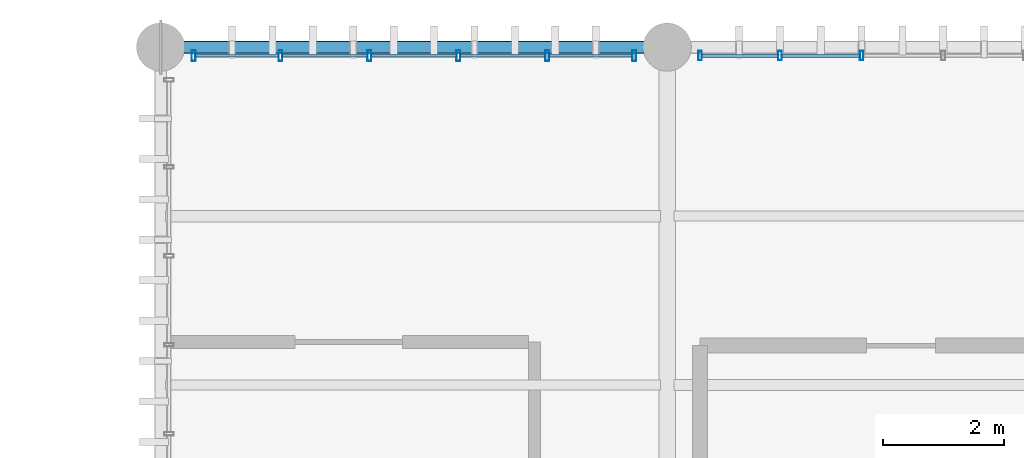
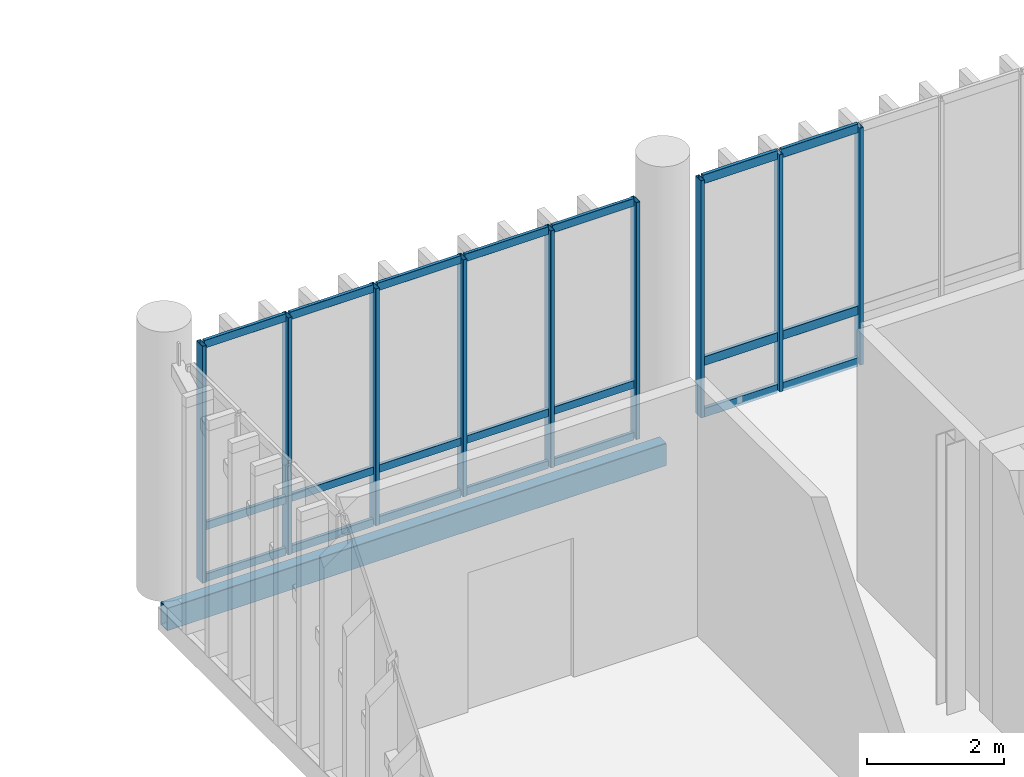
# One storey, part 63 of 94: 30 members, 1 beam, 2 elements without a shape of their own.
"""IFC4 building model written with IfcOpenShell, lengths in metres."""

from ifc_helpers import new_model, si_unit, direction, frame, origin_with_axes, origin_2d_with_axis, place, context, subcontext, project, spatial, hollow_rectangle, extrude, material, material_profile, profile_set, type_object, element, aggregate, save


model = new_model("IFC4")

# Units and contexts
model_context = context("Model", 3, precision=1e-05, world=origin_with_axes(), true_north=direction((0.0, 1.0)))
body_context = subcontext(model_context, "Body", "Model", "MODEL_VIEW")
ifc_project = project(units=[si_unit("LENGTHUNIT", "METRE"), si_unit("AREAUNIT", "SQUARE_METRE"), si_unit("VOLUMEUNIT", "CUBIC_METRE"), si_unit("PLANEANGLEUNIT", "RADIAN"), si_unit("MASSUNIT", "GRAM", prefix="KILO"), si_unit("THERMODYNAMICTEMPERATUREUNIT", "KELVIN")], contexts=[model_context])

# Site, building, storey
site_placement = place(None, origin_with_axes())
site = spatial("IfcSite", under=ifc_project, at=site_placement, CompositionType="ELEMENT")
building_placement = place(site_placement, origin_with_axes())
building = spatial("IfcBuilding", under=site, at=building_placement, Name="Montbau Bow Law Courts", CompositionType="ELEMENT")
storey_placement = place(building_placement, frame((0.0, 0.0, 15.6), z_axis=(0.0, 0.0, 1.0), x_axis=(1.0, 0.0, 0.0)))
storey = spatial("IfcBuildingStorey", under=building, at=storey_placement, Name="L03", CompositionType="ELEMENT", Elevation=15.6)

# Beam
ifc_material_1 = material(Name="Steel CSA G40.21 Grade 350WT (350 MPa)", Category="steel")
ifc_material_profile_1 = material_profile(ifc_material_1, hollow_rectangle(XDim=0.203, YDim=0.406, WallThickness=0.0127, InnerFilletRadius=0.0254, OuterFilletRadius=0.0127, at=origin_2d_with_axis()), Name="HSS406X203X13", Category="Main", Priority=0)
ifc_profile_set_1 = profile_set([ifc_material_profile_1], Name="Steel CSA G40.21 Grade 350WT (350 MPa)")
beam_type = type_object("IfcBeamType", Name="B-SPN-01", PredefinedType="SPANDREL", material=ifc_profile_set_1)
beam_placement = place(None, frame((138.6, 103.2, 15.057), z_axis=(1.0, 0.0, 0.0), x_axis=(0.0, 1.0, 0.0)))
element("IfcBeam", 1, at=beam_placement, inside=storey, type_object=beam_type, Name="SPN-L03-S1221:bm2_1224", PredefinedType="SPANDREL", context=body_context, shape_type="SweptSolid", body=[
    extrude(hollow_rectangle(XDim=0.203, YDim=0.406, WallThickness=0.0127, InnerFilletRadius=0.0254, OuterFilletRadius=0.0127, at=origin_2d_with_axis()), origin_with_axes(), (0.0, 0.0, 1.0), 8.4),
])

# Curtain wall, members
ifc_material_2 = material(Name="Thermally Broken Extruded Aluminium AA 6063-T6", Category="aluminium")
curtain_wall_type = type_object("IfcCurtainWallType", Name="CW-SLT-01", PredefinedType="NOTDEFINED", material=ifc_material_2)
curtain_wall_1_placement = place(None, frame((139.115, 103.06, 15.6), z_axis=(0.0, 0.0, 1.0), x_axis=(1.0, 0.0, 0.0)))
curtain_wall_1 = element("IfcCurtainWall", 2, at=curtain_wall_1_placement, inside=storey, type_object=curtain_wall_type, Name="CW-L03-313:cw_0313", PredefinedType="NOTDEFINED")
ifc_material_profile_2 = material_profile(ifc_material_2, hollow_rectangle(XDim=0.065, YDim=0.18, WallThickness=0.005, InnerFilletRadius=0.01, OuterFilletRadius=0.005, at=origin_2d_with_axis()), Name="CWM-180X65", Category="Main", Priority=0)
ifc_profile_set_2 = profile_set([ifc_material_profile_2], Name="Thermally Broken Extruded Aluminium AA 6063-T6")
member_type_1 = type_object("IfcMemberType", Name="M-MUL-02", PredefinedType="MULLION", material=ifc_profile_set_2)
member_1_placement = place(None, frame((139.148, 103.06, 15.6), z_axis=(0.0, 0.0, 1.0), x_axis=(1.0, 0.0, 0.0)))
member_1 = element("IfcMember", 3, at=member_1_placement, type_object=member_type_1, Name="CW-L03-313-M01:cw_0313_M01", PredefinedType="MULLION", context=body_context, shape_type="SweptSolid", body=[
    extrude(hollow_rectangle(XDim=0.065, YDim=0.18, WallThickness=0.005, InnerFilletRadius=0.01, OuterFilletRadius=0.005, at=origin_2d_with_axis()), origin_with_axes(), (0.0, 0.0, 1.0), 4.22),
])
member_2_placement = place(None, frame((140.589, 103.06, 15.6), z_axis=(0.0, 0.0, 1.0), x_axis=(1.0, 0.0, 0.0)))
member_2 = element("IfcMember", 4, at=member_2_placement, type_object=member_type_1, Name="CW-L03-313-M02:cw_0313_M02", PredefinedType="MULLION", context=body_context, shape_type="SweptSolid", body=[
    extrude(hollow_rectangle(XDim=0.065, YDim=0.18, WallThickness=0.005, InnerFilletRadius=0.01, OuterFilletRadius=0.005, at=origin_2d_with_axis()), origin_with_axes(), (0.0, 0.0, 1.0), 4.22),
])
member_3_placement = place(None, frame((142.063, 103.06, 15.6), z_axis=(0.0, 0.0, 1.0), x_axis=(1.0, 0.0, 0.0)))
member_3 = element("IfcMember", 5, at=member_3_placement, type_object=member_type_1, Name="CW-L03-313-M03:cw_0313_M03", PredefinedType="MULLION", context=body_context, shape_type="SweptSolid", body=[
    extrude(hollow_rectangle(XDim=0.065, YDim=0.18, WallThickness=0.005, InnerFilletRadius=0.01, OuterFilletRadius=0.005, at=origin_2d_with_axis()), origin_with_axes(), (0.0, 0.0, 1.0), 4.22),
])
member_4_placement = place(None, frame((143.537, 103.06, 15.6), z_axis=(0.0, 0.0, 1.0), x_axis=(1.0, 0.0, 0.0)))
member_4 = element("IfcMember", 6, at=member_4_placement, type_object=member_type_1, Name="CW-L03-313-M04:cw_0313_M04", PredefinedType="MULLION", context=body_context, shape_type="SweptSolid", body=[
    extrude(hollow_rectangle(XDim=0.065, YDim=0.18, WallThickness=0.005, InnerFilletRadius=0.01, OuterFilletRadius=0.005, at=origin_2d_with_axis()), origin_with_axes(), (0.0, 0.0, 1.0), 4.22),
])
member_5_placement = place(None, frame((145.011, 103.06, 15.6), z_axis=(0.0, 0.0, 1.0), x_axis=(1.0, 0.0, 0.0)))
member_5 = element("IfcMember", 7, at=member_5_placement, type_object=member_type_1, Name="CW-L03-313-M05:cw_0313_M05", PredefinedType="MULLION", context=body_context, shape_type="SweptSolid", body=[
    extrude(hollow_rectangle(XDim=0.065, YDim=0.18, WallThickness=0.005, InnerFilletRadius=0.01, OuterFilletRadius=0.005, at=origin_2d_with_axis()), origin_with_axes(), (0.0, 0.0, 1.0), 4.22),
])
member_6_placement = place(None, frame((146.453, 103.06, 15.6), z_axis=(0.0, 0.0, 1.0), x_axis=(1.0, 0.0, 0.0)))
member_6 = element("IfcMember", 8, at=member_6_placement, type_object=member_type_1, Name="CW-L03-313-M06:cw_0313_M06", PredefinedType="MULLION", context=body_context, shape_type="SweptSolid", body=[
    extrude(hollow_rectangle(XDim=0.065, YDim=0.18, WallThickness=0.005, InnerFilletRadius=0.01, OuterFilletRadius=0.005, at=origin_2d_with_axis()), origin_with_axes(), (0.0, 0.0, 1.0), 4.22),
])

curtain_wall_2_placement = place(None, frame((147.515, 103.06, 15.6), z_axis=(0.0, 0.0, 1.0), x_axis=(1.0, 0.0, 0.0)))
curtain_wall_2 = element("IfcCurtainWall", 9, at=curtain_wall_2_placement, inside=storey, type_object=curtain_wall_type, Name="CW-L03-314:cw_0314", PredefinedType="NOTDEFINED")
ifc_material_profile_3 = material_profile(ifc_material_2, hollow_rectangle(XDim=0.06, YDim=0.16, WallThickness=0.004, InnerFilletRadius=0.008, OuterFilletRadius=0.004, at=origin_2d_with_axis()), Name="CWM-160X60", Category="Main", Priority=0)
ifc_profile_set_3 = profile_set([ifc_material_profile_3], Name="Thermally Broken Extruded Aluminium AA 6063-T6")
member_type_2 = type_object("IfcMemberType", Name="M-MUL-03", PredefinedType="MULLION", material=ifc_profile_set_3)
member_7_placement = place(None, frame((147.545, 103.06, 15.6), z_axis=(0.0, 0.0, 1.0), x_axis=(1.0, 0.0, 0.0)))
member_7 = element("IfcMember", 10, at=member_7_placement, type_object=member_type_2, Name="CW-L03-314-M01:cw_0314_M01", PredefinedType="MULLION", context=body_context, shape_type="SweptSolid", body=[
    extrude(hollow_rectangle(XDim=0.06, YDim=0.16, WallThickness=0.004, InnerFilletRadius=0.008, OuterFilletRadius=0.004, at=origin_2d_with_axis()), origin_with_axes(), (0.0, 0.0, 1.0), 4.22),
])
member_8_placement = place(None, frame((148.869, 103.06, 15.6), z_axis=(0.0, 0.0, 1.0), x_axis=(1.0, 0.0, 0.0)))
member_8 = element("IfcMember", 11, at=member_8_placement, type_object=member_type_2, Name="CW-L03-314-M02:cw_0314_M02", PredefinedType="MULLION", context=body_context, shape_type="SweptSolid", body=[
    extrude(hollow_rectangle(XDim=0.06, YDim=0.16, WallThickness=0.004, InnerFilletRadius=0.008, OuterFilletRadius=0.004, at=origin_2d_with_axis()), origin_with_axes(), (0.0, 0.0, 1.0), 4.22),
])
member_9_placement = place(None, frame((150.223, 103.06, 15.6), z_axis=(0.0, 0.0, 1.0), x_axis=(1.0, 0.0, 0.0)))
member_9 = element("IfcMember", 12, at=member_9_placement, type_object=member_type_2, Name="CW-L03-314-M03:cw_0314_M03", PredefinedType="MULLION", context=body_context, shape_type="SweptSolid", body=[
    extrude(hollow_rectangle(XDim=0.06, YDim=0.16, WallThickness=0.004, InnerFilletRadius=0.008, OuterFilletRadius=0.004, at=origin_2d_with_axis()), origin_with_axes(), (0.0, 0.0, 1.0), 4.22),
])
ifc_material_profile_4 = material_profile(ifc_material_2, hollow_rectangle(XDim=0.06, YDim=0.16, WallThickness=0.004, InnerFilletRadius=0.008, OuterFilletRadius=0.004, at=origin_2d_with_axis()), Name="CWT-160X60", Category="Main", Priority=0)
ifc_profile_set_4 = profile_set([ifc_material_profile_4], Name="Thermally Broken Extruded Aluminium AA 6063-T6")
member_type_3 = type_object("IfcMemberType", Name="M-TRN-01", PredefinedType="USERDEFINED", material=ifc_profile_set_4)
member_10_placement = place(None, frame((147.577, 103.06, 15.63), z_axis=(1.0, 0.0, 0.0), x_axis=(0.0, 1.0, 0.0)))
member_10 = element("IfcMember", 13, at=member_10_placement, type_object=member_type_3, Name="CW-L03-314-T01-1:cw_0314_T01_1", ObjectType="TRANSOM", PredefinedType="USERDEFINED", context=body_context, shape_type="SweptSolid", body=[
    extrude(hollow_rectangle(XDim=0.06, YDim=0.16, WallThickness=0.004, InnerFilletRadius=0.008, OuterFilletRadius=0.004, at=origin_2d_with_axis()), origin_with_axes(), (0.0, 0.0, 1.0), 1.26),
])
member_11_placement = place(None, frame((147.577, 103.06, 16.55), z_axis=(1.0, 0.0, 0.0), x_axis=(0.0, 1.0, 0.0)))
member_11 = element("IfcMember", 14, at=member_11_placement, type_object=member_type_3, Name="CW-L03-314-T01-2:cw_0314_T01_2", ObjectType="TRANSOM", PredefinedType="USERDEFINED", context=body_context, shape_type="SweptSolid", body=[
    extrude(hollow_rectangle(XDim=0.06, YDim=0.16, WallThickness=0.004, InnerFilletRadius=0.008, OuterFilletRadius=0.004, at=origin_2d_with_axis()), origin_with_axes(), (0.0, 0.0, 1.0), 1.26),
])
member_12_placement = place(None, frame((147.577, 103.06, 19.79), z_axis=(1.0, 0.0, 0.0), x_axis=(0.0, 1.0, 0.0)))
member_12 = element("IfcMember", 15, at=member_12_placement, type_object=member_type_3, Name="CW-L03-314-T01-3:cw_0314_T01_3", ObjectType="TRANSOM", PredefinedType="USERDEFINED", context=body_context, shape_type="SweptSolid", body=[
    extrude(hollow_rectangle(XDim=0.06, YDim=0.16, WallThickness=0.004, InnerFilletRadius=0.008, OuterFilletRadius=0.004, at=origin_2d_with_axis()), origin_with_axes(), (0.0, 0.0, 1.0), 1.26),
])
member_13_placement = place(None, frame((148.901, 103.06, 15.63), z_axis=(1.0, 0.0, 0.0), x_axis=(0.0, 1.0, 0.0)))
member_13 = element("IfcMember", 16, at=member_13_placement, type_object=member_type_3, Name="CW-L03-314-T02-1:cw_0314_T02_1", ObjectType="TRANSOM", PredefinedType="USERDEFINED", context=body_context, shape_type="SweptSolid", body=[
    extrude(hollow_rectangle(XDim=0.06, YDim=0.16, WallThickness=0.004, InnerFilletRadius=0.008, OuterFilletRadius=0.004, at=origin_2d_with_axis()), origin_with_axes(), (0.0, 0.0, 1.0), 1.29),
])
member_14_placement = place(None, frame((148.901, 103.06, 16.55), z_axis=(1.0, 0.0, 0.0), x_axis=(0.0, 1.0, 0.0)))
member_14 = element("IfcMember", 17, at=member_14_placement, type_object=member_type_3, Name="CW-L03-314-T02-2:cw_0314_T02_2", ObjectType="TRANSOM", PredefinedType="USERDEFINED", context=body_context, shape_type="SweptSolid", body=[
    extrude(hollow_rectangle(XDim=0.06, YDim=0.16, WallThickness=0.004, InnerFilletRadius=0.008, OuterFilletRadius=0.004, at=origin_2d_with_axis()), origin_with_axes(), (0.0, 0.0, 1.0), 1.29),
])
member_15_placement = place(None, frame((148.901, 103.06, 19.79), z_axis=(1.0, 0.0, 0.0), x_axis=(0.0, 1.0, 0.0)))
member_15 = element("IfcMember", 18, at=member_15_placement, type_object=member_type_3, Name="CW-L03-314-T02-3:cw_0314_T02_3", ObjectType="TRANSOM", PredefinedType="USERDEFINED", context=body_context, shape_type="SweptSolid", body=[
    extrude(hollow_rectangle(XDim=0.06, YDim=0.16, WallThickness=0.004, InnerFilletRadius=0.008, OuterFilletRadius=0.004, at=origin_2d_with_axis()), origin_with_axes(), (0.0, 0.0, 1.0), 1.29),
])
aggregate(curtain_wall_2, [member_7, member_8, member_9, member_10, member_11, member_12, member_13, member_14, member_15])

# Member
ifc_material_profile_5 = material_profile(ifc_material_2, hollow_rectangle(XDim=0.055, YDim=0.14, WallThickness=0.004, InnerFilletRadius=0.008, OuterFilletRadius=0.004, at=origin_2d_with_axis()), Name="CWT-140X55", Category="Main", Priority=0)
ifc_profile_set_5 = profile_set([ifc_material_profile_5], Name="Thermally Broken Extruded Aluminium AA 6063-T6")
member_type_4 = type_object("IfcMemberType", Name="M-TRN-02", PredefinedType="USERDEFINED", material=ifc_profile_set_5)
member_16_placement = place(None, frame((139.183, 103.06, 15.627), z_axis=(1.0, 0.0, 0.0), x_axis=(0.0, 1.0, 0.0)))
member_16 = element("IfcMember", 19, at=member_16_placement, type_object=member_type_4, Name="CW-L03-313-T01-1:cw_0313_T01_1", ObjectType="TRANSOM", PredefinedType="USERDEFINED", context=body_context, shape_type="SweptSolid", body=[
    extrude(hollow_rectangle(XDim=0.055, YDim=0.14, WallThickness=0.004, InnerFilletRadius=0.008, OuterFilletRadius=0.004, at=origin_2d_with_axis()), origin_with_axes(), (0.0, 0.0, 1.0), 1.372),
])

member_17_placement = place(None, frame((139.183, 103.06, 16.55), z_axis=(1.0, 0.0, 0.0), x_axis=(0.0, 1.0, 0.0)))
member_17 = element("IfcMember", 20, at=member_17_placement, type_object=member_type_4, Name="CW-L03-313-T01-2:cw_0313_T01_2", ObjectType="TRANSOM", PredefinedType="USERDEFINED", context=body_context, shape_type="SweptSolid", body=[
    extrude(hollow_rectangle(XDim=0.055, YDim=0.14, WallThickness=0.004, InnerFilletRadius=0.008, OuterFilletRadius=0.004, at=origin_2d_with_axis()), origin_with_axes(), (0.0, 0.0, 1.0), 1.372),
])

member_18_placement = place(None, frame((139.183, 103.06, 19.793), z_axis=(1.0, 0.0, 0.0), x_axis=(0.0, 1.0, 0.0)))
member_18 = element("IfcMember", 21, at=member_18_placement, type_object=member_type_4, Name="CW-L03-313-T01-3:cw_0313_T01_3", ObjectType="TRANSOM", PredefinedType="USERDEFINED", context=body_context, shape_type="SweptSolid", body=[
    extrude(hollow_rectangle(XDim=0.055, YDim=0.14, WallThickness=0.004, InnerFilletRadius=0.008, OuterFilletRadius=0.004, at=origin_2d_with_axis()), origin_with_axes(), (0.0, 0.0, 1.0), 1.372),
])

member_19_placement = place(None, frame((140.623, 103.06, 15.627), z_axis=(1.0, 0.0, 0.0), x_axis=(0.0, 1.0, 0.0)))
member_19 = element("IfcMember", 22, at=member_19_placement, type_object=member_type_4, Name="CW-L03-313-T02-1:cw_0313_T02_1", ObjectType="TRANSOM", PredefinedType="USERDEFINED", context=body_context, shape_type="SweptSolid", body=[
    extrude(hollow_rectangle(XDim=0.055, YDim=0.14, WallThickness=0.004, InnerFilletRadius=0.008, OuterFilletRadius=0.004, at=origin_2d_with_axis()), origin_with_axes(), (0.0, 0.0, 1.0), 1.405),
])

member_20_placement = place(None, frame((140.623, 103.06, 16.55), z_axis=(1.0, 0.0, 0.0), x_axis=(0.0, 1.0, 0.0)))
member_20 = element("IfcMember", 23, at=member_20_placement, type_object=member_type_4, Name="CW-L03-313-T02-2:cw_0313_T02_2", ObjectType="TRANSOM", PredefinedType="USERDEFINED", context=body_context, shape_type="SweptSolid", body=[
    extrude(hollow_rectangle(XDim=0.055, YDim=0.14, WallThickness=0.004, InnerFilletRadius=0.008, OuterFilletRadius=0.004, at=origin_2d_with_axis()), origin_with_axes(), (0.0, 0.0, 1.0), 1.405),
])

member_21_placement = place(None, frame((140.623, 103.06, 19.793), z_axis=(1.0, 0.0, 0.0), x_axis=(0.0, 1.0, 0.0)))
member_21 = element("IfcMember", 24, at=member_21_placement, type_object=member_type_4, Name="CW-L03-313-T02-3:cw_0313_T02_3", ObjectType="TRANSOM", PredefinedType="USERDEFINED", context=body_context, shape_type="SweptSolid", body=[
    extrude(hollow_rectangle(XDim=0.055, YDim=0.14, WallThickness=0.004, InnerFilletRadius=0.008, OuterFilletRadius=0.004, at=origin_2d_with_axis()), origin_with_axes(), (0.0, 0.0, 1.0), 1.405),
])

member_22_placement = place(None, frame((142.097, 103.06, 15.627), z_axis=(1.0, 0.0, 0.0), x_axis=(0.0, 1.0, 0.0)))
member_22 = element("IfcMember", 25, at=member_22_placement, type_object=member_type_4, Name="CW-L03-313-T03-1:cw_0313_T03_1", ObjectType="TRANSOM", PredefinedType="USERDEFINED", context=body_context, shape_type="SweptSolid", body=[
    extrude(hollow_rectangle(XDim=0.055, YDim=0.14, WallThickness=0.004, InnerFilletRadius=0.008, OuterFilletRadius=0.004, at=origin_2d_with_axis()), origin_with_axes(), (0.0, 0.0, 1.0), 1.406),
])

member_23_placement = place(None, frame((142.097, 103.06, 16.55), z_axis=(1.0, 0.0, 0.0), x_axis=(0.0, 1.0, 0.0)))
member_23 = element("IfcMember", 26, at=member_23_placement, type_object=member_type_4, Name="CW-L03-313-T03-2:cw_0313_T03_2", ObjectType="TRANSOM", PredefinedType="USERDEFINED", context=body_context, shape_type="SweptSolid", body=[
    extrude(hollow_rectangle(XDim=0.055, YDim=0.14, WallThickness=0.004, InnerFilletRadius=0.008, OuterFilletRadius=0.004, at=origin_2d_with_axis()), origin_with_axes(), (0.0, 0.0, 1.0), 1.406),
])

member_24_placement = place(None, frame((142.097, 103.06, 19.793), z_axis=(1.0, 0.0, 0.0), x_axis=(0.0, 1.0, 0.0)))
member_24 = element("IfcMember", 27, at=member_24_placement, type_object=member_type_4, Name="CW-L03-313-T03-3:cw_0313_T03_3", ObjectType="TRANSOM", PredefinedType="USERDEFINED", context=body_context, shape_type="SweptSolid", body=[
    extrude(hollow_rectangle(XDim=0.055, YDim=0.14, WallThickness=0.004, InnerFilletRadius=0.008, OuterFilletRadius=0.004, at=origin_2d_with_axis()), origin_with_axes(), (0.0, 0.0, 1.0), 1.406),
])

member_25_placement = place(None, frame((143.571, 103.06, 15.627), z_axis=(1.0, 0.0, 0.0), x_axis=(0.0, 1.0, 0.0)))
member_25 = element("IfcMember", 28, at=member_25_placement, type_object=member_type_4, Name="CW-L03-313-T04-1:cw_0313_T04_1", ObjectType="TRANSOM", PredefinedType="USERDEFINED", context=body_context, shape_type="SweptSolid", body=[
    extrude(hollow_rectangle(XDim=0.055, YDim=0.14, WallThickness=0.004, InnerFilletRadius=0.008, OuterFilletRadius=0.004, at=origin_2d_with_axis()), origin_with_axes(), (0.0, 0.0, 1.0), 1.406),
])

member_26_placement = place(None, frame((143.571, 103.06, 16.55), z_axis=(1.0, 0.0, 0.0), x_axis=(0.0, 1.0, 0.0)))
member_26 = element("IfcMember", 29, at=member_26_placement, type_object=member_type_4, Name="CW-L03-313-T04-2:cw_0313_T04_2", ObjectType="TRANSOM", PredefinedType="USERDEFINED", context=body_context, shape_type="SweptSolid", body=[
    extrude(hollow_rectangle(XDim=0.055, YDim=0.14, WallThickness=0.004, InnerFilletRadius=0.008, OuterFilletRadius=0.004, at=origin_2d_with_axis()), origin_with_axes(), (0.0, 0.0, 1.0), 1.406),
])

member_27_placement = place(None, frame((143.571, 103.06, 19.793), z_axis=(1.0, 0.0, 0.0), x_axis=(0.0, 1.0, 0.0)))
member_27 = element("IfcMember", 30, at=member_27_placement, type_object=member_type_4, Name="CW-L03-313-T04-3:cw_0313_T04_3", ObjectType="TRANSOM", PredefinedType="USERDEFINED", context=body_context, shape_type="SweptSolid", body=[
    extrude(hollow_rectangle(XDim=0.055, YDim=0.14, WallThickness=0.004, InnerFilletRadius=0.008, OuterFilletRadius=0.004, at=origin_2d_with_axis()), origin_with_axes(), (0.0, 0.0, 1.0), 1.406),
])

member_28_placement = place(None, frame((145.045, 103.06, 15.627), z_axis=(1.0, 0.0, 0.0), x_axis=(0.0, 1.0, 0.0)))
member_28 = element("IfcMember", 31, at=member_28_placement, type_object=member_type_4, Name="CW-L03-313-T05-1:cw_0313_T05_1", ObjectType="TRANSOM", PredefinedType="USERDEFINED", context=body_context, shape_type="SweptSolid", body=[
    extrude(hollow_rectangle(XDim=0.055, YDim=0.14, WallThickness=0.004, InnerFilletRadius=0.008, OuterFilletRadius=0.004, at=origin_2d_with_axis()), origin_with_axes(), (0.0, 0.0, 1.0), 1.374),
])

member_29_placement = place(None, frame((145.045, 103.06, 16.55), z_axis=(1.0, 0.0, 0.0), x_axis=(0.0, 1.0, 0.0)))
member_29 = element("IfcMember", 32, at=member_29_placement, type_object=member_type_4, Name="CW-L03-313-T05-2:cw_0313_T05_2", ObjectType="TRANSOM", PredefinedType="USERDEFINED", context=body_context, shape_type="SweptSolid", body=[
    extrude(hollow_rectangle(XDim=0.055, YDim=0.14, WallThickness=0.004, InnerFilletRadius=0.008, OuterFilletRadius=0.004, at=origin_2d_with_axis()), origin_with_axes(), (0.0, 0.0, 1.0), 1.374),
])

member_30_placement = place(None, frame((145.045, 103.06, 19.793), z_axis=(1.0, 0.0, 0.0), x_axis=(0.0, 1.0, 0.0)))
member_30 = element("IfcMember", 33, at=member_30_placement, type_object=member_type_4, Name="CW-L03-313-T05-3:cw_0313_T05_3", ObjectType="TRANSOM", PredefinedType="USERDEFINED", context=body_context, shape_type="SweptSolid", body=[
    extrude(hollow_rectangle(XDim=0.055, YDim=0.14, WallThickness=0.004, InnerFilletRadius=0.008, OuterFilletRadius=0.004, at=origin_2d_with_axis()), origin_with_axes(), (0.0, 0.0, 1.0), 1.374),
])

aggregate(curtain_wall_1, [member_1, member_2, member_3, member_4, member_5, member_6, member_16, member_17, member_18, member_19, member_20, member_21, member_22, member_23, member_24, member_25, member_26, member_27, member_28, member_29, member_30])

save(model, "model.ifc")
